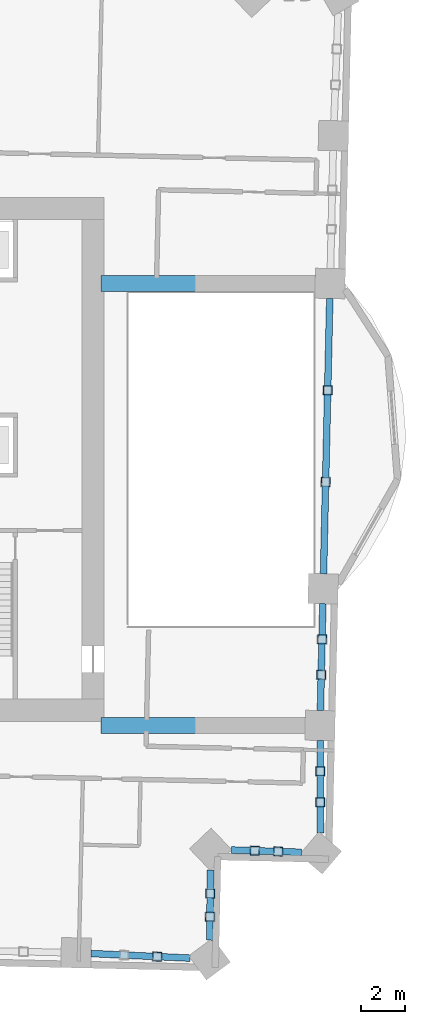
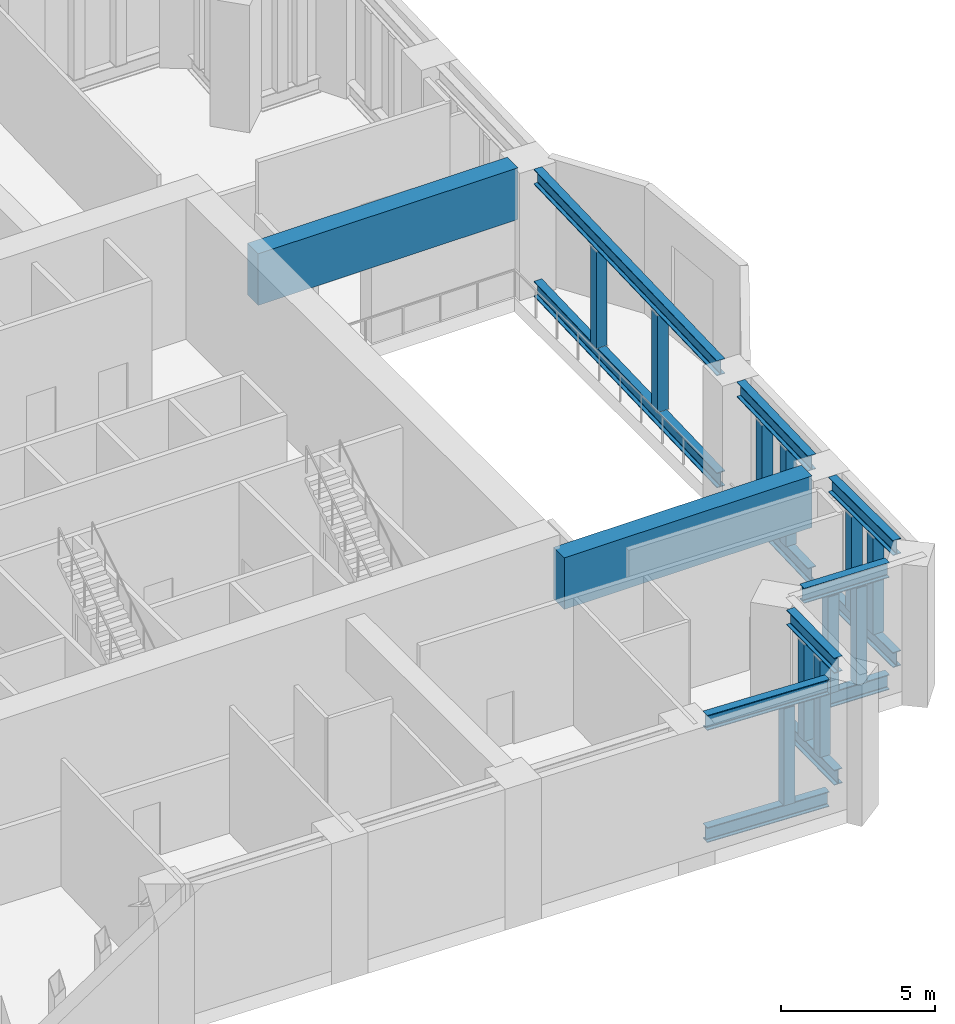
# One storey, part 3 of 13: 23 members, 2 beams.
"""IFC4 building model written with IfcOpenShell, lengths in metres."""

from ifc_helpers import new_model, si_unit, direction, frame, origin, origin_2d, place, context, subcontext, project, spatial, rectangle, hollow_rectangle, i_section, extrude, material, material_profile, profile_set, type_object, element, save


model = new_model("IFC4")

# Units and contexts
model_context = context("Model", 3, precision=1e-05, world=origin(), true_north=direction((0.0, 1.0)))
body_context = subcontext(model_context, "Body", "Model", "MODEL_VIEW")
ifc_project = project(units=[si_unit("LENGTHUNIT", "METRE"), si_unit("AREAUNIT", "SQUARE_METRE"), si_unit("VOLUMEUNIT", "CUBIC_METRE"), si_unit("PLANEANGLEUNIT", "RADIAN"), si_unit("MASSUNIT", "GRAM", prefix="KILO")], contexts=[model_context])

# Site, building, storey
site_placement = place(None, origin())
site = spatial("IfcSite", under=ifc_project, at=site_placement, CompositionType="ELEMENT")
building_placement = place(site_placement, origin())
building = spatial("IfcBuilding", under=site, at=building_placement, Name="Mangrove Gate Tower", CompositionType="ELEMENT")
storey_placement = place(building_placement, frame((0.0, 0.0, 119.89990234375)))
storey = spatial("IfcBuildingStorey", under=building, at=storey_placement, Name="L30", CompositionType="ELEMENT", Elevation=119.89990234375)

# Members
ifc_material_1 = material(Name="Steel S355J2", Category="steel")
ifc_material_profile_1 = material_profile(ifc_material_1, i_section(OverallWidth=0.300048828125, OverallDepth=0.60009765625, WebThickness=0.015380859375, FlangeThickness=0.030029296875, FilletRadius=0.027099609375, at=origin_2d()))
ifc_profile_set_1 = profile_set([ifc_material_profile_1], Name="Steel S355J2")
member_type_1 = type_object("IfcMemberType", Name="Belt truss chord HE 600 B", PredefinedType="CHORD", material=ifc_profile_set_1)
for number, where, z_axis, x_axis, name in (
    (1, (14.210693359375, -22.25537109375, 0.300048828125), (0.998927147581, -0.046309327638, 0.0), (0.046309327638, 0.998927147581, 0.0), "Belt truss bottom chord L30 10"),
    (2, (14.210693359375, -22.25537109375, 4.75), (0.998927147581, -0.046309327638, 0.0), (0.046309327638, 0.998927147581, 0.0), "Belt truss top chord L30 10"),
):
    element("IfcMember", number, at=place(storey_placement, frame(where, z_axis=z_axis, x_axis=x_axis)), inside=storey, type_object=member_type_1, Name=name, PredefinedType="CHORD", context=body_context, shape_type="SweptSolid", body=[
        extrude(i_section(OverallWidth=0.300048828125, OverallDepth=0.60009765625, WebThickness=0.015380859375, FlangeThickness=0.030029296875, FilletRadius=0.027099609375, at=origin_2d()), origin(), (0.0, 0.0, 1.0), 4.470703125),
    ])
for number, where, z_axis, x_axis, name in (
    (3, (19.555419921875, -21.65625, 0.300048828125), (0.01006063159, 0.999949390565, 0.0), (-0.999949390565, 0.01006063159, 0.0), "Belt truss bottom chord L30 11"),
    (4, (19.555419921875, -21.65625, 4.75), (0.01006063159, 0.999949390565, 0.0), (-0.999949390565, 0.01006063159, 0.0), "Belt truss top chord L30 11"),
):
    element("IfcMember", number, at=place(storey_placement, frame(where, z_axis=z_axis, x_axis=x_axis)), inside=storey, type_object=member_type_1, Name=name, PredefinedType="CHORD", context=body_context, shape_type="SweptSolid", body=[
        extrude(i_section(OverallWidth=0.300048828125, OverallDepth=0.60009765625, WebThickness=0.015380859375, FlangeThickness=0.030029296875, FilletRadius=0.027099609375, at=origin_2d()), origin(), (0.0, 0.0, 1.0), 3.15478515625),
    ])
for number, where, z_axis, x_axis, name in (
    (5, (20.541015625, -17.59033203125, 0.300048828125), (0.999453316313, -0.03306158664, 0.0), (0.03306158664, 0.999453316313, 0.0), "Belt truss bottom chord L30 12"),
    (6, (20.541015625, -17.59033203125, 4.75), (0.999453316313, -0.03306158664, 0.0), (0.03306158664, 0.999453316313, 0.0), "Belt truss top chord L30 12"),
):
    element("IfcMember", number, at=place(storey_placement, frame(where, z_axis=z_axis, x_axis=x_axis)), inside=storey, type_object=member_type_1, Name=name, PredefinedType="CHORD", context=body_context, shape_type="SweptSolid", body=[
        extrude(i_section(OverallWidth=0.300048828125, OverallDepth=0.60009765625, WebThickness=0.015380859375, FlangeThickness=0.030029296875, FilletRadius=0.027099609375, at=origin_2d()), origin(), (0.0, 0.0, 1.0), 3.145751953125),
    ])
for number, where, z_axis, x_axis, name in (
    (7, (24.54345703125, -16.834716796875, 0.300048828125), (-0.003566394531, 0.999993640395, 0.0), (-0.999993640395, -0.003566394531, 0.0), "Belt truss bottom chord L30 13"),
    (8, (24.54345703125, -16.834716796875, 4.75), (-0.003566394531, 0.999993640395, 0.0), (-0.999993640395, -0.003566394531, 0.0), "Belt truss top chord L30 13"),
):
    element("IfcMember", number, at=place(storey_placement, frame(where, z_axis=z_axis, x_axis=x_axis)), inside=storey, type_object=member_type_1, Name=name, PredefinedType="CHORD", context=body_context, shape_type="SweptSolid", body=[
        extrude(i_section(OverallWidth=0.300048828125, OverallDepth=0.60009765625, WebThickness=0.015380859375, FlangeThickness=0.030029296875, FilletRadius=0.027099609375, at=origin_2d()), origin(), (0.0, 0.0, 1.0), 4.17578125),
    ])
for number, where, z_axis, x_axis, name in (
    (9, (24.54150390625, -11.308837890625, 0.300048828125), (0.022727167182, 0.999741704578, 0.0), (-0.999741704578, 0.022727167182, 0.0), "Belt truss bottom chord L30 14"),
    (10, (24.54150390625, -11.308837890625, 4.75), (0.022727167182, 0.999741704578, 0.0), (-0.999741704578, 0.022727167182, 0.0), "Belt truss top chord L30 14"),
):
    element("IfcMember", number, at=place(storey_placement, frame(where, z_axis=z_axis, x_axis=x_axis)), inside=storey, type_object=member_type_1, Name=name, PredefinedType="CHORD", context=body_context, shape_type="SweptSolid", body=[
        extrude(i_section(OverallWidth=0.300048828125, OverallDepth=0.60009765625, WebThickness=0.015380859375, FlangeThickness=0.030029296875, FilletRadius=0.027099609375, at=origin_2d()), origin(), (0.0, 0.0, 1.0), 4.8125),
    ])
for number, where, z_axis, x_axis, name in (
    (11, (24.681396484375, -5.14794921875, 0.300048828125), (0.022699938925, 0.999742323188, 0.0), (-0.999742323188, 0.022699938925, 0.0), "Belt truss bottom chord L30 15"),
    (12, (24.681396484375, -5.14794921875, 4.75), (0.022699938925, 0.999742323188, 0.0), (-0.999742323188, 0.022699938925, 0.0), "Belt truss top chord L30 15"),
):
    element("IfcMember", number, at=place(storey_placement, frame(where, z_axis=z_axis, x_axis=x_axis)), inside=storey, type_object=member_type_1, Name=name, PredefinedType="CHORD", context=body_context, shape_type="SweptSolid", body=[
        extrude(i_section(OverallWidth=0.300048828125, OverallDepth=0.60009765625, WebThickness=0.015380859375, FlangeThickness=0.030029296875, FilletRadius=0.027099609375, at=origin_2d()), origin(), (0.0, 0.0, 1.0), 12.400634765625),
    ])
ifc_material_2 = material(Name="Steel S355J2H", Category="steel")
ifc_material_profile_2 = material_profile(ifc_material_2, hollow_rectangle(XDim=0.39990234375, YDim=0.39990234375, WallThickness=0.01611328125, at=origin_2d()))
ifc_profile_set_2 = profile_set([ifc_material_profile_2], Name="Steel S355J2H")
member_type_2 = type_object("IfcMemberType", Name="Belt truss post SHS 400x400x16", PredefinedType="POST", material=ifc_profile_set_2)
for number, where, z_axis, x_axis, name in (
    (13, (17.18798828125, -22.3935546875, 0.60009765625), (0.0, 0.0, 1.0), (0.998926991833, -0.046312687105, 0.0), "Belt truss post L30 10-2"),
    (14, (19.56591796875, -20.604736328125, 0.60009765625), (0.0, 0.0, 1.0), (0.010065527796, 0.999949341292, 0.0), "Belt truss post L30 11-1"),
    (15, (19.57666015625, -19.55322265625, 0.60009765625), (0.0, 0.0, 1.0), (0.010065527796, 0.999949341292, 0.0), "Belt truss post L30 11-2"),
    (16, (21.589111328125, -17.625, 0.60009765625), (0.0, 0.0, 1.0), (0.999451689975, -0.033110714372, 0.0), "Belt truss post L30 12-1"),
    (17, (22.636962890625, -17.65966796875, 0.60009765625), (0.0, 0.0, 1.0), (0.999451689975, -0.033110714372, 0.0), "Belt truss post L30 12-2"),
    (18, (24.53857421875, -15.442626953125, 0.60009765625), (0.0, 0.0, 1.0), (-0.003554233365, 0.999993683693, 0.0), "Belt truss post L30 13-1"),
    (19, (24.533447265625, -14.05078125, 0.60009765625), (0.0, 0.0, 1.0), (-0.003554233365, 0.999993683693, 0.0), "Belt truss post L30 13-2"),
    (20, (24.577880859375, -9.705078125, 0.60009765625), (0.0, 0.0, 1.0), (0.02271776427, 0.99974191829, 0.0), "Belt truss post L30 14-1"),
    (21, (24.614501953125, -8.101318359375, 0.60009765625), (0.0, 0.0, 1.0), (0.02271776427, 0.99974191829, 0.0), "Belt truss post L30 14-2"),
    (22, (24.775390625, -1.015380859375, 0.60009765625), (0.0, 0.0, 1.0), (0.022690038137, 0.999742547944, 0.0), "Belt truss post L30 15-1"),
    (23, (24.869140625, 3.116943359375, 0.60009765625), (0.0, 0.0, 1.0), (0.022690038137, 0.999742547944, 0.0), "Belt truss post L30 15-2"),
):
    element("IfcMember", number, at=place(storey_placement, frame(where, z_axis=z_axis, x_axis=x_axis)), inside=storey, type_object=member_type_2, Name=name, PredefinedType="POST", context=body_context, shape_type="SweptSolid", body=[
        extrude(hollow_rectangle(XDim=0.39990234375, YDim=0.39990234375, WallThickness=0.01611328125, at=origin_2d()), origin(), (0.0, 0.0, 1.0), 3.85009765625),
    ])

# Beams
ifc_material_3 = material(Name="Concrete C70/85", Category="concrete")
ifc_material_profile_3 = material_profile(ifc_material_3, rectangle(XDim=0.699951171875, YDim=2.050048828125, at=origin_2d()))
ifc_profile_set_3 = profile_set([ifc_material_profile_3], Name="Concrete C70/85")
beam_type = type_object("IfcBeamType", Name="Outrigger coupling beam RC 700x2050 C70/85", PredefinedType="BEAM", material=ifc_profile_set_3)
beam_1_placement = place(storey_placement, frame((14.64990234375, 7.92431640625, 4.025146484375), z_axis=(1.0, 0.0, 0.0), x_axis=(0.0, 1.0, 0.0)))
element("IfcBeam", 24, at=beam_1_placement, inside=storey, type_object=beam_type, Name="Outrigger coupling beam L30 OR1", PredefinedType="BEAM", context=body_context, shape_type="SweptSolid", body=[
    extrude(rectangle(XDim=0.699951171875, YDim=2.050048828125, at=origin_2d()), origin(), (0.0, 0.0, 1.0), 9.753173828125),
])
beam_2_placement = place(storey_placement, frame((14.64990234375, -11.983642578125, 4.025146484375), z_axis=(1.0, 0.0, 0.0), x_axis=(0.0, 1.0, 0.0)))
element("IfcBeam", 25, at=beam_2_placement, inside=storey, type_object=beam_type, Name="Outrigger coupling beam L30 OR5", PredefinedType="BEAM", context=body_context, shape_type="SweptSolid", body=[
    extrude(rectangle(XDim=0.699951171875, YDim=2.050048828125, at=origin_2d()), origin(), (0.0, 0.0, 1.0), 9.301025390625),
])

save(model, "model.ifc")
